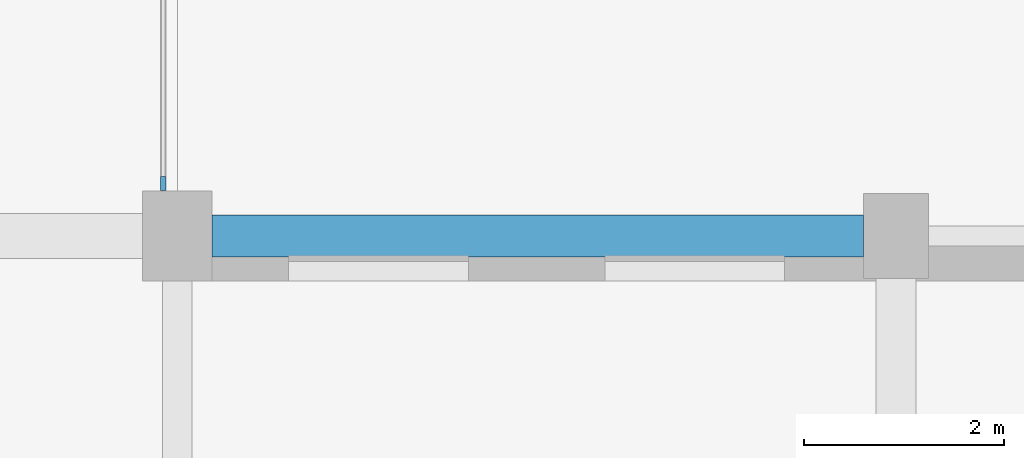
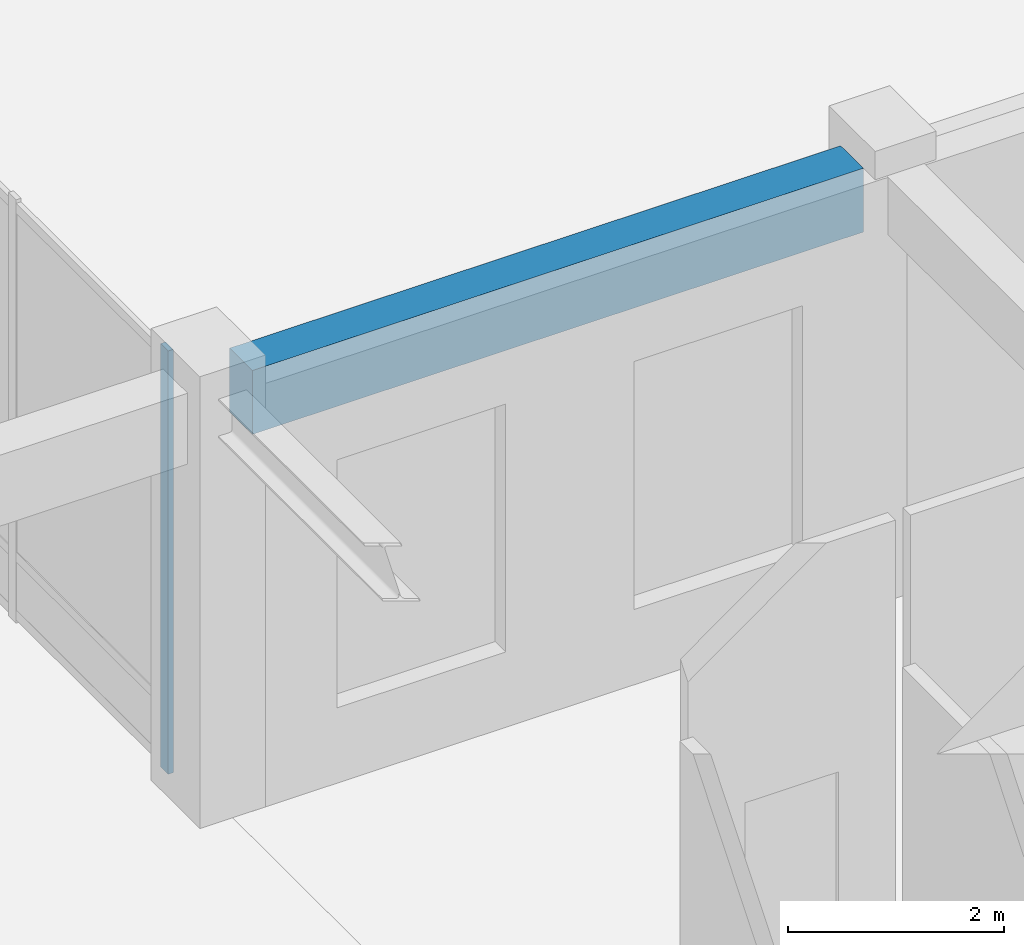
# One storey, part 8 of 64: 1 beam, 1 member, 1 element without a shape of its own.
"""IFC4 building model written with IfcOpenShell, lengths in metres."""

import ifcopenshell
import ifcopenshell.guid

model = None  # the IFC model being written
_history = None  # IfcOwnerHistory: only IFC2X3 demands one
_inside = {}  # id of a spatial element -> (the spatial element, [elements in it])
_under = {}  # id of a project, library or spatial element -> (it, [spatial elements below it])
_declared = {}  # id of a project -> (the project, [libraries it declares])
_typed = {}  # id of a type object -> (the type object, [elements of that type])
_made_of = {}  # id of a material, layer set ... -> (it, [elements and type objects made of it])


def new_model(schema):
    """Start an empty IFC model of exactly this schema.

    Asked for "IFC4X3", IfcOpenShell would pick the latest addendum, in which some entities
    have other attributes; the version numbers below select the first issue.
    IFC2X3 requires an IfcOwnerHistory on every rooted entity: one is made here for all.
    """
    global model, _history
    if schema == "IFC4X3":
        model = ifcopenshell.file(schema_version=(4, 3, 0, 0))
    else:
        model = ifcopenshell.file(schema=schema)
    _inside.clear()
    _under.clear()
    _declared.clear()
    _typed.clear()
    _made_of.clear()
    _history = None
    if model.schema == "IFC2X3":
        org = make("IfcOrganization", Name="unknown")
        user = make(
            "IfcPersonAndOrganization",
            ThePerson=make("IfcPerson", FamilyName="unknown"),
            TheOrganization=org,
        )
        app = make(
            "IfcApplication",
            ApplicationDeveloper=org,
            Version="unknown",
            ApplicationFullName="unknown",
            ApplicationIdentifier="unknown",
        )
        _history = make(
            "IfcOwnerHistory",
            OwningUser=user,
            OwningApplication=app,
            ChangeAction="ADDED",
            CreationDate=0,
        )
    return model


def make(cls, **values):
    """One entity of the class cls with the attributes given. An attribute that is None is left unset."""
    return model.create_entity(
        cls, **{name: value for name, value in values.items() if value is not None}
    )


def rooted(cls, **values):
    """An entity with a GlobalId (a new one), such as an element, a storey or a relation."""
    return make(cls, GlobalId=ifcopenshell.guid.new(), OwnerHistory=_history, **values)


def si_unit(unit_type, name, prefix=None):
    """IfcSIUnit, for example si_unit("LENGTHUNIT", "METRE", prefix="MILLI")."""
    return make("IfcSIUnit", UnitType=unit_type, Prefix=prefix, Name=name)


def assignment(units):
    """IfcUnitAssignment: the units of a project."""
    return None if units is None else make("IfcUnitAssignment", Units=units)


def point(xyz):
    """IfcCartesianPoint."""
    return None if xyz is None else make("IfcCartesianPoint", Coordinates=xyz)


def direction(xyz):
    """IfcDirection."""
    return None if xyz is None else make("IfcDirection", DirectionRatios=xyz)


def frame(location, z_axis=None, x_axis=None):
    """IfcAxis2Placement3D, a coordinate frame: its origin and axes. An axis left out is left unset."""
    return make(
        "IfcAxis2Placement3D",
        Location=point(location),
        Axis=direction(z_axis),
        RefDirection=direction(x_axis),
    )


def frame_2d(location, x_axis=None):
    """IfcAxis2Placement2D, a coordinate frame in the plane: its origin and x axis."""
    return make(
        "IfcAxis2Placement2D", Location=point(location), RefDirection=direction(x_axis)
    )


def origin():
    """The frame at (0, 0, 0) with its axes left unset."""
    return frame((0.0, 0.0, 0.0))


def origin_2d():
    """The frame at (0, 0) in the plane with its x axis left unset."""
    return frame_2d((0.0, 0.0))


def place(relative_to, where):
    """IfcLocalPlacement: puts the frame where relative to a parent placement (None: the world)."""
    return make(
        "IfcLocalPlacement", PlacementRelTo=relative_to, RelativePlacement=where
    )


def context(
    kind, dimensions, precision=None, world=None, true_north=None, identifier=None
):
    """IfcGeometricRepresentationContext, for example the 3D "Model" context."""
    return make(
        "IfcGeometricRepresentationContext",
        ContextIdentifier=identifier,
        ContextType=kind,
        CoordinateSpaceDimension=dimensions,
        Precision=precision,
        WorldCoordinateSystem=world,
        TrueNorth=true_north,
    )


def subcontext(parent, identifier, kind, view, scale=None):
    """IfcGeometricRepresentationSubContext, for example "Body" below "Model"."""
    return make(
        "IfcGeometricRepresentationSubContext",
        ContextIdentifier=identifier,
        ContextType=kind,
        ParentContext=parent,
        TargetScale=scale,
        TargetView=view,
    )


def project(units=None, contexts=None):
    """IfcProject with its units and contexts."""
    return rooted(
        "IfcProject",
        Name="project",
        RepresentationContexts=contexts,
        UnitsInContext=assignment(units),
    )


def spatial(cls, under=None, at=None, **own):
    """A site, building, storey or space (cls), placed at a placement, below another one or the project."""
    s = rooted(cls, ObjectPlacement=at, **own)
    if under is not None:
        _under.setdefault(under.id(), (under, []))[1].append(s)
    return s


def profile(cls, at=None, kind="AREA", **sizes):
    """A parametric profile (cls). Its sizes go by their IFC names, for example OverallWidth=200.0."""
    return make(cls, ProfileType=kind, Position=at, **sizes)


def rectangle(**sizes):
    """IfcRectangleProfileDef."""
    return profile("IfcRectangleProfileDef", **sizes)


def extrude(swept, where, along, depth):
    """IfcExtrudedAreaSolid: the profile swept, set in the frame where, extruded along a direction by depth."""
    return make(
        "IfcExtrudedAreaSolid",
        SweptArea=swept,
        Position=where,
        ExtrudedDirection=direction(along),
        Depth=depth,
    )


def shape(context_of_items, identifier, shape_type, items):
    """IfcShapeRepresentation: the items that make up one representation, for example the "Body"."""
    return make(
        "IfcShapeRepresentation",
        ContextOfItems=context_of_items,
        RepresentationIdentifier=identifier,
        RepresentationType=shape_type,
        Items=items,
    )


def material(Name=None, Category=None):
    """IfcMaterial."""
    return make("IfcMaterial", Name=Name, Category=Category)


def material_profile(
    of_material, cross_section, Name=None, Category=None, Priority=None
):
    """IfcMaterialProfile: a cross section and its material."""
    return make(
        "IfcMaterialProfile",
        Name=Name,
        Material=of_material,
        Profile=cross_section,
        Priority=Priority,
        Category=Category,
    )


def profile_set(profiles, Name=None, composite=None):
    """IfcMaterialProfileSet."""
    return make(
        "IfcMaterialProfileSet",
        Name=Name,
        MaterialProfiles=profiles,
        CompositeProfile=composite,
    )


def made_of(thing, what):
    """Note that an element or type object is made of a material, layer set ...; save() writes the relation."""
    if what is not None:
        _made_of.setdefault(what.id(), (what, []))[1].append(thing)
    return thing


def type_object(cls, material=None, **own):
    """A type object (cls), such as IfcWallType, which elements share."""
    return made_of(rooted(cls, **own), material)


def element(
    cls,
    number,
    at=None,
    inside=None,
    cuts=None,
    type_object=None,
    material=None,
    context=None,
    identifier="Body",
    shape_type=None,
    held_by="IfcProductDefinitionShape",
    body=None,
    shapes=None,
    **own,
):
    """One element of the class cls, such as IfcWall. Its Tag is "e" and its number.

    at: its placement. inside: the storey or other place that contains it. cuts: it is an
    opening in that element (IfcRelVoidsElement). A single representation is given by context,
    identifier, shape_type and body (its items); several are given by shapes. held_by: the class
    of the entity that holds the representations. save() writes the other relations.
    """
    e = rooted(cls, Tag="e%d" % number, ObjectPlacement=at, **own)
    if body is not None:
        shapes = [shape(context, identifier, shape_type, body)]
    if shapes is not None:
        e.Representation = make(held_by, Representations=shapes)
    if inside is not None:
        _inside.setdefault(inside.id(), (inside, []))[1].append(e)
    if cuts is not None:
        rooted(
            "IfcRelVoidsElement", RelatingBuildingElement=cuts, RelatedOpeningElement=e
        )
    if type_object is not None:
        _typed.setdefault(type_object.id(), (type_object, []))[1].append(e)
    return made_of(e, material)


def aggregate(whole, parts):
    """IfcRelAggregates: a whole, such as a stair, and the parts it consists of."""
    return rooted("IfcRelAggregates", RelatingObject=whole, RelatedObjects=parts)


def save(model, path):
    """Write the relations noted so far, then the file.

    IfcRelAggregates (storeys below a building ...), IfcRelContainedInSpatialStructure (elements
    in a storey), IfcRelDefinesByType, IfcRelAssociatesMaterial and IfcRelDeclares: one each for
    every whole, place, type object, material and project.
    """
    for whole, parts in _under.values():
        aggregate(whole, parts)
    for where, things in _inside.values():
        rooted(
            "IfcRelContainedInSpatialStructure",
            RelatedElements=things,
            RelatingStructure=where,
        )
    for kind, things in _typed.values():
        rooted("IfcRelDefinesByType", RelatedObjects=things, RelatingType=kind)
    for what, things in _made_of.values():
        rooted("IfcRelAssociatesMaterial", RelatedObjects=things, RelatingMaterial=what)
    for by, libraries in _declared.values():
        rooted("IfcRelDeclares", RelatingContext=by, RelatedDefinitions=libraries)
    model.write(path)


model = new_model("IFC4")

# Units and contexts
model_context = context("Model", 3, precision=1e-05, world=origin(), true_north=direction((0.0, 1.0)))
body_context = subcontext(model_context, "Body", "Model", "MODEL_VIEW")
ifc_project = project(units=[si_unit("LENGTHUNIT", "METRE"), si_unit("AREAUNIT", "SQUARE_METRE"), si_unit("VOLUMEUNIT", "CUBIC_METRE"), si_unit("PLANEANGLEUNIT", "RADIAN"), si_unit("MASSUNIT", "GRAM", prefix="KILO")], contexts=[model_context])

# Site, building, storey
site_placement = place(None, origin())
site = spatial("IfcSite", under=ifc_project, at=site_placement, CompositionType="ELEMENT")
building_placement = place(site_placement, origin())
building = spatial("IfcBuilding", under=site, at=building_placement, Name="Clarverna Civic Hall", CompositionType="ELEMENT")
storey_placement = place(building_placement, origin())
storey = spatial("IfcBuildingStorey", under=building, at=storey_placement, Name="L00", CompositionType="ELEMENT", Elevation=0.0)

# Beam
ifc_material_1 = material(Name="Concrete C35/45", Category="concrete")
ifc_material_profile_1 = material_profile(ifc_material_1, rectangle(XDim=0.419921875, YDim=0.719970703125, at=origin_2d()), Name="RC 420x720")
ifc_profile_set_1 = profile_set([ifc_material_profile_1], Name="Concrete C35/45")
beam_type = type_object("IfcBeamType", Name="B-SP1", PredefinedType="SPANDREL", material=ifc_profile_set_1)
beam_placement = place(storey_placement, frame((25.550048828125, 14.0, 4.419921875), z_axis=(1.0, 0.0, 0.0), x_axis=(0.0, 1.0, 0.0)))
element("IfcBeam", 1, at=beam_placement, inside=storey, type_object=beam_type, Name="B-SP1-035", PredefinedType="SPANDREL", context=body_context, shape_type="SweptSolid", body=[
    extrude(rectangle(XDim=0.419921875, YDim=0.719970703125, at=origin_2d()), origin(), (0.0, 0.0, 1.0), 6.52490234375),
])

# Curtain wall, member
ifc_material_2 = material(Name="Anodised Bronze Architectural Aluminium", Category="aluminium")
curtain_wall_type = type_object("IfcCurtainWallType", Name="CW-04", PredefinedType="USERDEFINED", material=ifc_material_2)
curtain_wall_placement = place(storey_placement, origin())
curtain_wall = element("IfcCurtainWall", 2, at=curtain_wall_placement, inside=storey, type_object=curtain_wall_type, Name="CW-04-017", ObjectType="UNITISED CURTAIN WALL", PredefinedType="USERDEFINED")
ifc_material_profile_2 = material_profile(ifc_material_2, rectangle(XDim=0.054931640625, YDim=0.139892578125, at=origin_2d()), Name="BRONZE 55x140")
ifc_profile_set_2 = profile_set([ifc_material_profile_2], Name="Anodised Bronze Architectural Aluminium")
member_type = type_object("IfcMemberType", Name="CWM-04", PredefinedType="MULLION", material=ifc_profile_set_2)
member_placement = place(storey_placement, frame((25.06005859375, 14.52294921875, 0.0), z_axis=(0.0, 0.0, 1.0), x_axis=(1.0, 0.0, 0.0)))
member = element("IfcMember", 3, at=member_placement, type_object=member_type, Name="CWM-04-038", PredefinedType="MULLION", context=body_context, shape_type="SweptSolid", body=[
    extrude(rectangle(XDim=0.054931640625, YDim=0.139892578125, at=origin_2d()), origin(), (0.0, 0.0, 1.0), 4.780029296875),
])
aggregate(curtain_wall, [member])

save(model, "model.ifc")
